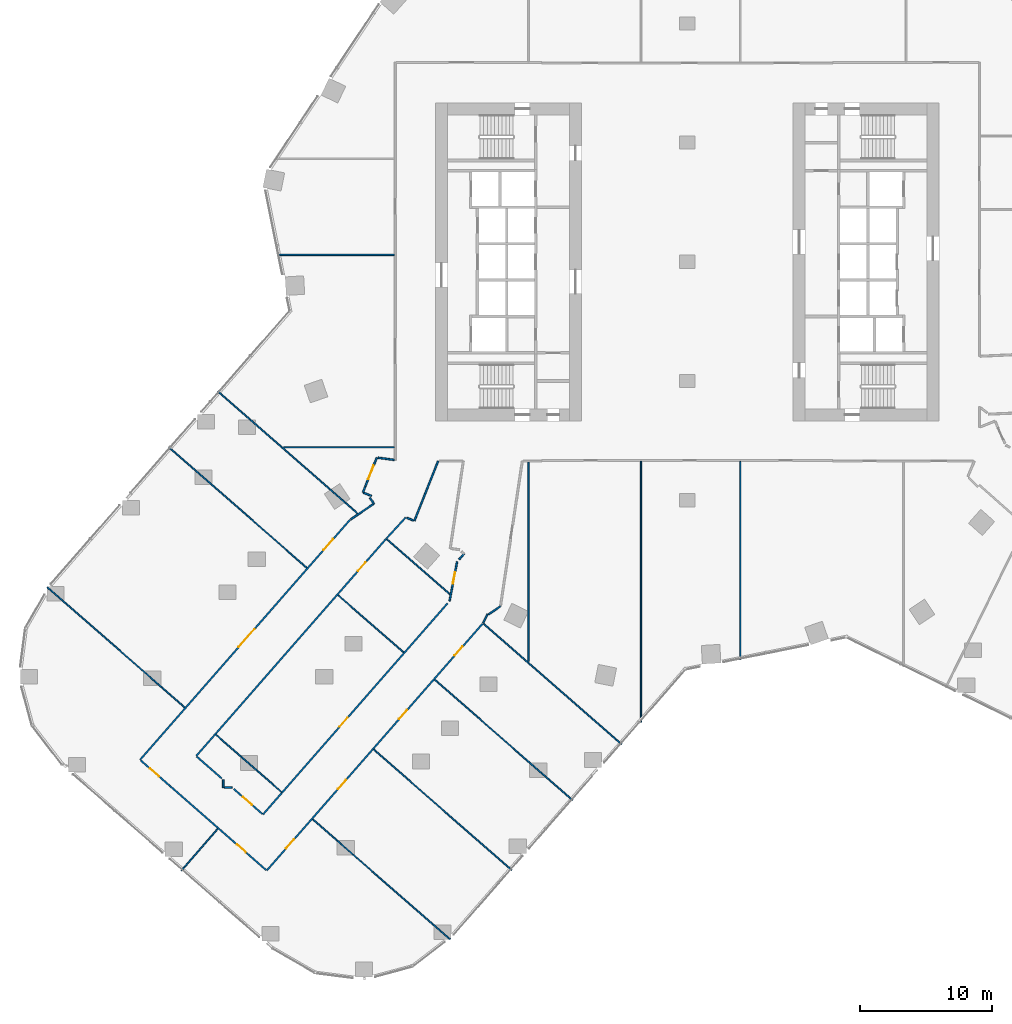
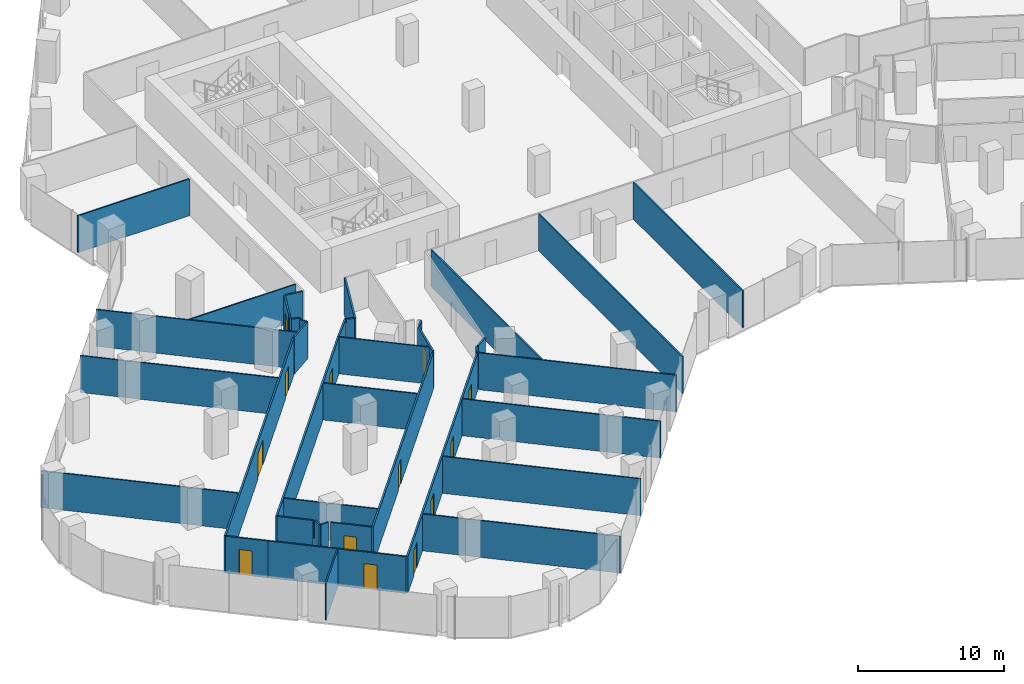
# One storey, part 26 of 38: 39 walls, 13 doors, 13 openings.
"""IFC4 building model written with IfcOpenShell, lengths in metres."""

from ifc_helpers import new_model, si_unit, direction, frame, frame_2d, origin, place, context, subcontext, project, spatial, rectangle, extrude, material, layer, layer_set, type_object, element, fill, save


model = new_model("IFC4")

# Units and contexts
model_context = context("Model", 3, precision=1e-05, world=origin(), true_north=direction((0.0, 1.0)))
body_context = subcontext(model_context, "Body", "Model", "MODEL_VIEW")
ifc_project = project(units=[si_unit("LENGTHUNIT", "METRE"), si_unit("AREAUNIT", "SQUARE_METRE"), si_unit("VOLUMEUNIT", "CUBIC_METRE"), si_unit("PLANEANGLEUNIT", "RADIAN"), si_unit("MASSUNIT", "GRAM", prefix="KILO")], contexts=[model_context])

# Site, building, storey
site_placement = place(None, origin())
site = spatial("IfcSite", under=ifc_project, at=site_placement, CompositionType="ELEMENT")
building_placement = place(site_placement, origin())
building = spatial("IfcBuilding", under=site, at=building_placement, Name="Orlundy Tower", CompositionType="ELEMENT")
storey_placement = place(building_placement, frame((0.0, 0.0, 62.300048828125)))
storey = spatial("IfcBuildingStorey", under=building, at=storey_placement, Name="L14", CompositionType="ELEMENT", Elevation=62.300048828125)

# Walls
ifc_material_1 = material(Name="Gypsum board partition")
ifc_layer_1 = layer(ifc_material_1, 0.10009765625)
ifc_layer_set_1 = layer_set([ifc_layer_1], Name="Floor partition 100")
wall_type_1 = type_object("IfcWallType", Name="Floor partition 100", PredefinedType="PARTITIONING", material=ifc_layer_set_1)
wall_1_placement = place(storey_placement, frame((-48.31298828125, -24.572021484375, 0.0), z_axis=(0.0, 0.0, 1.0), x_axis=(0.75276101301, -0.658293898872, 0.0)))
element("IfcWall", 1, at=wall_1_placement, inside=storey, type_object=wall_type_1, Name="wall-int-L14-012", PredefinedType="PARTITIONING", context=body_context, shape_type="SweptSolid", body=[
    extrude(rectangle(XDim=13.78271484375, YDim=0.10009765625, at=frame_2d((6.891357421875, 0.0))), origin(), (0.0, 0.0, 1.0), 3.079833984375),
])
wall_2_placement = place(storey_placement, frame((-35.583984375, -35.701904296875, 0.0), z_axis=(0.0, 0.0, 1.0), x_axis=(0.75268021229, -0.658386283292, 0.0)))
element("IfcWall", 2, at=wall_2_placement, inside=storey, type_object=wall_type_1, Name="wall-int-L14-013", PredefinedType="PARTITIONING", context=body_context, shape_type="SweptSolid", body=[
    extrude(rectangle(XDim=6.57373046875, YDim=0.10009765625, at=frame_2d((3.286865234375, 0.0))), origin(), (0.0, 0.0, 1.0), 3.079833984375),
])
wall_3_placement = place(storey_placement, frame((-28.281982421875, -42.0869140625, 0.0), z_axis=(0.0, 0.0, 1.0), x_axis=(0.752796124803, -0.658253746272, 0.0)))
element("IfcWall", 3, at=wall_3_placement, inside=storey, type_object=wall_type_1, Name="wall-int-L14-014", PredefinedType="PARTITIONING", context=body_context, shape_type="SweptSolid", body=[
    extrude(rectangle(XDim=13.781982421875, YDim=0.10009765625, at=frame_2d((6.89111328125, 0.0))), origin(), (0.0, 0.0, 1.0), 3.079833984375),
])
for number, where, z_axis, x_axis, name in (
    (4, (-23.675048828125, -36.818115234375, 0.0), (0.0, 0.0, 1.0), (0.752825840036, -0.65821976161, 0.0), "wall-int-L14-015"),
    (5, (-39.138916015625, -13.9970703125, 0.0), (0.0, 0.0, 1.0), (0.752825840036, -0.65821976161, 0.0), "wall-int-L14-016"),
):
    element("IfcWall", number, at=place(storey_placement, frame(where, z_axis=z_axis, x_axis=x_axis)), inside=storey, type_object=wall_type_1, Name=name, PredefinedType="PARTITIONING", context=body_context, shape_type="SweptSolid", body=[
        extrude(rectangle(XDim=13.837158203125, YDim=0.10009765625, at=frame_2d((6.91845703125, 0.0))), origin(), (0.0, 0.0, 1.0), 3.079833984375),
    ])
wall_4_placement = place(storey_placement, frame((-26.368896484375, -25.1630859375, 0.0), z_axis=(0.0, 0.0, 1.0), x_axis=(0.752836606275, -0.658207447734, 0.0)))
element("IfcWall", 6, at=wall_4_placement, inside=storey, type_object=wall_type_1, Name="wall-int-L14-017", PredefinedType="PARTITIONING", context=body_context, shape_type="SweptSolid", body=[
    extrude(rectangle(XDim=6.57373046875, YDim=0.10009765625, at=frame_2d((3.286865234375, 0.0))), origin(), (0.0, 0.0, 1.0), 3.079833984375),
])
wall_5_placement = place(storey_placement, frame((-19.06689453125, -31.548095703125, 0.0), z_axis=(0.0, 0.0, 1.0), x_axis=(0.752795260656, -0.658254734531, 0.0)))
element("IfcWall", 7, at=wall_5_placement, inside=storey, type_object=wall_type_1, Name="wall-int-L14-018", PredefinedType="PARTITIONING", context=body_context, shape_type="SweptSolid", body=[
    extrude(rectangle(XDim=13.83642578125, YDim=0.10009765625, at=frame_2d((6.918212890625, 0.0))), origin(), (0.0, 0.0, 1.0), 3.079833984375),
])
wall_6_placement = place(storey_placement, frame((-35.447998046875, -9.77587890625, 0.0), z_axis=(0.0, 0.0, 1.0), x_axis=(0.752812898316, -0.658234563153, 0.0)))
element("IfcWall", 8, at=wall_6_placement, inside=storey, type_object=wall_type_1, Name="wall-int-L14-019", PredefinedType="PARTITIONING", context=body_context, shape_type="SweptSolid", body=[
    extrude(rectangle(XDim=14.019287109375, YDim=0.10009765625, at=frame_2d((7.009765625, 0.0))), origin(), (0.0, 0.0, 1.0), 3.079833984375),
])
wall_7_placement = place(storey_placement, frame((-22.677978515625, -20.94189453125, 0.0), z_axis=(0.0, 0.0, 1.0), x_axis=(0.752838405923, -0.658205389349, 0.0)))
element("IfcWall", 9, at=wall_7_placement, inside=storey, type_object=wall_type_1, Name="wall-int-L14-020", PredefinedType="PARTITIONING", context=body_context, shape_type="SweptSolid", body=[
    extrude(rectangle(XDim=6.29736328125, YDim=0.10009765625, at=frame_2d((3.148681640625, 0.0))), origin(), (0.0, 0.0, 1.0), 3.079833984375),
])
wall_8_placement = place(storey_placement, frame((-15.364013671875, -27.337890625, 0.0), z_axis=(0.0, 0.0, 1.0), x_axis=(0.752870986554, -0.658168122599, 0.0)))
element("IfcWall", 10, at=wall_8_placement, inside=storey, type_object=wall_type_1, Name="wall-int-L14-021", PredefinedType="PARTITIONING", context=body_context, shape_type="SweptSolid", body=[
    extrude(rectangle(XDim=13.820556640625, YDim=0.10009765625, at=frame_2d((6.91015625, 0.0))), origin(), (0.0, 0.0, 1.0), 3.079833984375),
])
wall_9_placement = place(storey_placement, frame((-30.485107421875, -14.0, 0.0), z_axis=(0.0, 0.0, 1.0), x_axis=(1.0, 0.0, 0.0)))
element("IfcWall", 11, at=wall_9_placement, inside=storey, type_object=wall_type_1, Name="wall-int-L14-045", PredefinedType="PARTITIONING", context=body_context, shape_type="SweptSolid", body=[
    extrude(rectangle(XDim=8.3720703125, YDim=0.10009765625, at=frame_2d((4.18603515625, 0.0))), origin(), (0.0, 0.0, 1.0), 3.079833984375),
])
wall_10_placement = place(storey_placement, frame((-30.9560546875, 0.52392578125, 0.0), z_axis=(0.0, 0.0, 1.0), x_axis=(1.0, 0.0, 0.0)))
element("IfcWall", 12, at=wall_10_placement, inside=storey, type_object=wall_type_1, Name="wall-int-L14-046", PredefinedType="PARTITIONING", context=body_context, shape_type="SweptSolid", body=[
    extrude(rectangle(XDim=8.843017578125, YDim=0.10009765625, at=frame_2d((4.42138671875, 0.0))), origin(), (0.0, 0.0, 1.0), 3.079833984375),
])
wall_11_placement = place(storey_placement, frame((-38.201904296875, -45.966064453125, 0.0), z_axis=(0.0, 0.0, 1.0), x_axis=(0.658203200775, 0.752840319384, 0.0)))
element("IfcWall", 13, at=wall_11_placement, inside=storey, type_object=wall_type_1, Name="wall-int-L14-062", PredefinedType="PARTITIONING", context=body_context, shape_type="SweptSolid", body=[
    extrude(rectangle(XDim=4.18701171875, YDim=0.10009765625, at=frame_2d((2.093505859375, 0.0))), origin(), (0.0, 0.0, 1.0), 3.079833984375),
])
wall_12_placement = place(storey_placement, frame((4.0, -30.050048828125, 0.0), z_axis=(0.0, 0.0, 1.0), x_axis=(0.0, 1.0, 0.0)))
element("IfcWall", 14, at=wall_12_placement, inside=storey, type_object=wall_type_1, Name="wall-int-L14-090", PredefinedType="PARTITIONING", context=body_context, shape_type="SweptSolid", body=[
    extrude(rectangle(XDim=14.987060546875, YDim=0.10009765625, at=frame_2d((7.49365234375, 0.0))), origin(), (0.0, 0.0, 1.0), 3.079833984375),
])
wall_13_placement = place(storey_placement, frame((-3.493896484375, -34.758056640625, 0.0), z_axis=(0.0, 0.0, 1.0), x_axis=(0.0, 1.0, 0.0)))
element("IfcWall", 15, at=wall_13_placement, inside=storey, type_object=wall_type_1, Name="wall-int-L14-092", PredefinedType="PARTITIONING", context=body_context, shape_type="SweptSolid", body=[
    extrude(rectangle(XDim=19.695068359375, YDim=0.10009765625, at=frame_2d((9.84765625, 0.0))), origin(), (0.0, 0.0, 1.0), 3.079833984375),
])
wall_14_placement = place(storey_placement, frame((-12.0, -30.1689453125, 0.0), z_axis=(0.0, 0.0, 1.0), x_axis=(0.0, 1.0, 0.0)))
element("IfcWall", 16, at=wall_14_placement, inside=storey, type_object=wall_type_1, Name="wall-int-L14-094", PredefinedType="PARTITIONING", context=body_context, shape_type="SweptSolid", body=[
    extrude(rectangle(XDim=15.054931640625, YDim=0.10009765625, at=frame_2d((7.52734375, 0.0))), origin(), (0.0, 0.0, 1.0), 3.079833984375),
])
ifc_material_2 = material(Name="Gypsum board partition, double layer")
ifc_layer_2 = layer(ifc_material_2, 0.125)
ifc_layer_set_2 = layer_set([ifc_layer_2], Name="Floor partition 125")
wall_type_2 = type_object("IfcWallType", Name="Floor partition 125", PredefinedType="PARTITIONING", material=ifc_layer_set_2)
wall_15_placement = place(storey_placement, frame((-23.965087890625, -17.81005859375, 0.0), z_axis=(0.0, 0.0, 1.0), x_axis=(0.55613676815, -0.831090786323, 0.0)))
element("IfcWall", 17, at=wall_15_placement, inside=storey, type_object=wall_type_2, Name="wall-int-L14-004", PredefinedType="PARTITIONING", context=body_context, shape_type="SweptSolid", body=[
    extrude(rectangle(XDim=0.548828125, YDim=0.125, at=frame_2d((0.2744140625, 0.0))), origin(), (0.0, 0.0, 1.0), 3.079833984375),
])

# Wall, opening, door
wall_16_placement = place(storey_placement, frame((-31.798095703125, -45.9208984375, 0.0), z_axis=(0.0, 0.0, 1.0), x_axis=(-0.752771196542, 0.658282253792, 0.0)))
wall_16 = element("IfcWall", 18, at=wall_16_placement, inside=storey, type_object=wall_type_2, Name="wall-int-L14-009", PredefinedType="PARTITIONING", context=body_context, shape_type="SweptSolid", body=[
    extrude(rectangle(XDim=9.64013671875, YDim=0.125, at=frame_2d((4.820068359375, 0.0))), origin(), (0.0, 0.0, 1.0), 3.079833984375),
])
opening_1_placement = place(wall_16_placement, frame((2.039794921875, 0.0, 0.0)))
opening_1 = element("IfcOpeningElement", 19, at=opening_1_placement, cuts=wall_16, Name="Opening 13118", PredefinedType="OPENING", context=body_context, shape_type="SweptSolid", body=[
    extrude(rectangle(XDim=0.89990234375, YDim=2.10009765625, at=frame_2d((0.449951171875, 1.050048828125))), frame((0.0, 0.072509765625, 0.0), z_axis=(0.0, -1.0, 0.0), x_axis=(1.0, 0.0, 0.0)), (0.0, 0.0, 1.0), 0.14501953125),
])
ifc_material_3 = material(Name="Timber door leaf", Category="wood")
door_type_1 = type_object("IfcDoorType", Name="Floor door single 900 FD30S", OperationType="NOTDEFINED", PredefinedType="DOOR", material=ifc_material_3)
door_1_placement = place(opening_1_placement, origin())
door_1 = element("IfcDoor", 20, at=door_1_placement, inside=storey, type_object=door_type_1, Name="Door 13118", OperationType="SINGLE_SWING_LEFT", OverallHeight=2.10009765625, OverallWidth=0.89990234375, PredefinedType="DOOR", context=body_context, shape_type="SweptSolid", body=[
    extrude(rectangle(XDim=0.89990234375, YDim=2.10009765625, at=frame_2d((0.449951171875, 1.050048828125))), frame((0.0, 0.02490234375, 0.0), z_axis=(0.0, -1.0, 0.0), x_axis=(1.0, 0.0, 0.0)), (0.0, 0.0, 1.0), 0.050048828125),
])
fill(opening_1, door_1)

# Wall
wall_17_placement = place(storey_placement, frame((-37.031982421875, -37.35791015625, 0.0), z_axis=(0.0, 0.0, 1.0), x_axis=(0.752691127314, -0.658373804812, 0.0)))
element("IfcWall", 21, at=wall_17_placement, inside=storey, type_object=wall_type_2, Name="wall-int-L14-010", PredefinedType="PARTITIONING", context=body_context, shape_type="SweptSolid", body=[
    extrude(rectangle(XDim=2.5107421875, YDim=0.125, at=frame_2d((1.25537109375, 0.0))), origin(), (0.0, 0.0, 1.0), 3.079833984375),
])

# Wall, opening, door
wall_18_placement = place(storey_placement, frame((-34.239013671875, -39.801025390625, 0.0), z_axis=(0.0, 0.0, 1.0), x_axis=(0.753004386547, -0.658015496657, 0.0)))
wall_18 = element("IfcWall", 22, at=wall_18_placement, inside=storey, type_object=wall_type_2, Name="wall-int-L14-011", PredefinedType="PARTITIONING", context=body_context, shape_type="SweptSolid", body=[
    extrude(rectangle(XDim=2.86328125, YDim=0.125, at=frame_2d((1.431640625, 0.0))), origin(), (0.0, 0.0, 1.0), 3.079833984375),
])
opening_2_placement = place(wall_18_placement, frame((0.93359375, 0.0, 0.0)))
opening_2 = element("IfcOpeningElement", 23, at=opening_2_placement, cuts=wall_18, Name="Opening 13117", PredefinedType="OPENING", context=body_context, shape_type="SweptSolid", body=[
    extrude(rectangle(XDim=0.89990234375, YDim=2.10009765625, at=frame_2d((0.449951171875, 1.050048828125))), frame((0.0, 0.072509765625, 0.0), z_axis=(0.0, -1.0, 0.0), x_axis=(1.0, 0.0, 0.0)), (0.0, 0.0, 1.0), 0.14501953125),
])
door_2_placement = place(opening_2_placement, origin())
door_2 = element("IfcDoor", 24, at=door_2_placement, inside=storey, type_object=door_type_1, Name="Door 13117", OperationType="SINGLE_SWING_LEFT", OverallHeight=2.10009765625, OverallWidth=0.89990234375, PredefinedType="DOOR", context=body_context, shape_type="SweptSolid", body=[
    extrude(rectangle(XDim=0.89990234375, YDim=2.10009765625, at=frame_2d((0.449951171875, 1.050048828125))), frame((0.0, 0.02490234375, 0.0), z_axis=(0.0, -1.0, 0.0), x_axis=(1.0, 0.0, 0.0)), (0.0, 0.0, 1.0), 0.050048828125),
])
fill(opening_2, door_2)

wall_19_placement = place(storey_placement, frame((-39.054931640625, -39.574951171875, 0.0), z_axis=(0.0, 0.0, 1.0), x_axis=(-0.753045000135, 0.657969017334, 0.0)))
wall_19 = element("IfcWall", 25, at=wall_19_placement, inside=storey, type_object=wall_type_2, Name="wall-int-L14-022", PredefinedType="PARTITIONING", context=body_context, shape_type="SweptSolid", body=[
    extrude(rectangle(XDim=2.9375, YDim=0.125, at=frame_2d((1.46875, 0.0))), origin(), (0.0, 0.0, 1.0), 3.079833984375),
])
opening_3_placement = place(wall_19_placement, frame((1.10009765625, 0.0, 0.0)))
opening_3 = element("IfcOpeningElement", 26, at=opening_3_placement, cuts=wall_19, Name="Opening 13120", PredefinedType="OPENING", context=body_context, shape_type="SweptSolid", body=[
    extrude(rectangle(XDim=0.89990234375, YDim=2.10009765625, at=frame_2d((0.449951171875, 1.050048828125))), frame((0.0, 0.072509765625, 0.0), z_axis=(0.0, -1.0, 0.0), x_axis=(1.0, 0.0, 0.0)), (0.0, 0.0, 1.0), 0.14501953125),
])
door_3_placement = place(opening_3_placement, origin())
door_3 = element("IfcDoor", 27, at=door_3_placement, inside=storey, type_object=door_type_1, Name="Door 13120", OperationType="SINGLE_SWING_RIGHT", OverallHeight=2.10009765625, OverallWidth=0.89990234375, PredefinedType="DOOR", context=body_context, shape_type="SweptSolid", body=[
    extrude(rectangle(XDim=0.89990234375, YDim=2.10009765625, at=frame_2d((0.449951171875, 1.050048828125))), frame((0.0, 0.02490234375, 0.0), z_axis=(0.0, -1.0, 0.0), x_axis=(1.0, 0.0, 0.0)), (0.0, 0.0, 1.0), 0.050048828125),
])
fill(opening_3, door_3)

# Walls
wall_20_placement = place(storey_placement, frame((-24.43505859375, -17.43798828125, 0.0), z_axis=(0.0, 0.0, 1.0), x_axis=(0.928555762044, -0.3711929374, 0.0)))
element("IfcWall", 28, at=wall_20_placement, inside=storey, type_object=wall_type_2, Name="wall-int-L14-033", PredefinedType="PARTITIONING", context=body_context, shape_type="SweptSolid", body=[
    extrude(rectangle(XDim=0.638671875, YDim=0.125, at=frame_2d((0.3193359375, 0.0))), origin(), (0.0, 0.0, 1.0), 3.079833984375),
])
wall_21_placement = place(storey_placement, frame((-21.173095703125, -19.3291015625, 0.0), z_axis=(0.0, 0.0, 1.0), x_axis=(0.928691976307, -0.37085200976, 0.0)))
element("IfcWall", 29, at=wall_21_placement, inside=storey, type_object=wall_type_2, Name="wall-int-L14-034", PredefinedType="PARTITIONING", context=body_context, shape_type="SweptSolid", body=[
    extrude(rectangle(XDim=0.547119140625, YDim=0.125, at=frame_2d((0.2734375, 0.0))), origin(), (0.0, 0.0, 1.0), 3.079833984375),
])
wall_22_placement = place(storey_placement, frame((-14.998046875, -26.611083984375, 0.0), z_axis=(0.0, 0.0, 1.0), x_axis=(0.828906337017, 0.559387418926, 0.0)))
element("IfcWall", 30, at=wall_22_placement, inside=storey, type_object=wall_type_2, Name="wall-int-L14-035", PredefinedType="PARTITIONING", context=body_context, shape_type="SweptSolid", body=[
    extrude(rectangle(XDim=1.079833984375, YDim=0.125, at=frame_2d((0.5400390625, 0.0))), origin(), (0.0, 0.0, 1.0), 3.079833984375),
])
wall_23_placement = place(storey_placement, frame((-23.35302734375, -14.7919921875, 0.0), z_axis=(0.0, 0.0, 1.0), x_axis=(0.991114791297, -0.133009287168, 0.0)))
element("IfcWall", 31, at=wall_23_placement, inside=storey, type_object=wall_type_2, Name="wall-int-L14-037", PredefinedType="PARTITIONING", context=body_context, shape_type="SweptSolid", body=[
    extrude(rectangle(XDim=1.248046875, YDim=0.125, at=frame_2d((0.6240234375, 0.0))), origin(), (0.0, 0.0, 1.0), 3.079833984375),
])
wall_24_placement = place(storey_placement, frame((-34.97412109375, -39.68994140625, 0.0), z_axis=(0.0, 0.0, 1.0), x_axis=(1.0, 0.0, 0.0)))
element("IfcWall", 32, at=wall_24_placement, inside=storey, type_object=wall_type_2, Name="wall-int-L14-040", PredefinedType="PARTITIONING", context=body_context, shape_type="SweptSolid", body=[
    extrude(rectangle(XDim=0.609130859375, YDim=0.125, at=frame_2d((0.3046875, 0.0))), origin(), (0.0, 0.0, 1.0), 3.079833984375),
])
wall_25_placement = place(storey_placement, frame((-23.659912109375, -18.26611328125, 0.0), z_axis=(0.0, 0.0, 1.0), x_axis=(-0.83066036782, -0.556779447658, 0.0)))
element("IfcWall", 33, at=wall_25_placement, inside=storey, type_object=wall_type_2, Name="wall-int-L14-056", PredefinedType="PARTITIONING", context=body_context, shape_type="SweptSolid", body=[
    extrude(rectangle(XDim=2.11181640625, YDim=0.125, at=frame_2d((1.055908203125, 0.0))), origin(), (0.0, 0.0, 1.0), 3.079833984375),
])
wall_26_placement = place(storey_placement, frame((-22.72509765625, -20.90087890625, 0.0), z_axis=(0.0, 0.0, 1.0), x_axis=(0.674921155875, 0.737889851775, 0.0)))
element("IfcWall", 34, at=wall_26_placement, inside=storey, type_object=wall_type_2, Name="wall-int-L14-058", PredefinedType="PARTITIONING", context=body_context, shape_type="SweptSolid", body=[
    extrude(rectangle(XDim=2.175048828125, YDim=0.125, at=frame_2d((1.08740234375, 0.0))), origin(), (0.0, 0.0, 1.0), 3.079833984375),
])
wall_27_placement = place(storey_placement, frame((-17.22802734375, -22.468994140625, 0.0), z_axis=(0.0, 0.0, 1.0), x_axis=(0.664256182607, 0.747504999226, 0.0)))
element("IfcWall", 35, at=wall_27_placement, inside=storey, type_object=wall_type_2, Name="wall-int-L14-059", PredefinedType="PARTITIONING", context=body_context, shape_type="SweptSolid", body=[
    extrude(rectangle(XDim=0.56298828125, YDim=0.125, at=frame_2d((0.281494140625, 0.0))), origin(), (0.0, 0.0, 1.0), 3.079833984375),
])

# Wall, openings, doors
wall_28_placement = place(storey_placement, frame((-15.464111328125, -27.33203125, 0.0), z_axis=(0.0, 0.0, 1.0), x_axis=(-0.658219577617, -0.752826000907, 0.0)))
wall_28 = element("IfcWall", 36, at=wall_28_placement, inside=storey, type_object=wall_type_2, Name="wall-int-L14-060", PredefinedType="PARTITIONING", context=body_context, shape_type="SweptSolid", body=[
    extrude(rectangle(XDim=24.745361328125, YDim=0.125, at=frame_2d((12.37255859375, 0.0))), origin(), (0.0, 0.0, 1.0), 3.079833984375),
])
opening_4_placement = place(wall_28_placement, frame((2.287841796875, 0.0, 0.0)))
opening_4 = element("IfcOpeningElement", 37, at=opening_4_placement, cuts=wall_28, Name="Opening 13112", PredefinedType="OPENING", context=body_context, shape_type="SweptSolid", body=[
    extrude(rectangle(XDim=0.89990234375, YDim=2.10009765625, at=frame_2d((0.449951171875, 1.050048828125))), frame((0.0, 0.072509765625, 0.0), z_axis=(0.0, -1.0, 0.0), x_axis=(1.0, 0.0, 0.0)), (0.0, 0.0, 1.0), 0.14501953125),
])
opening_5_placement = place(wall_28_placement, frame((8.64501953125, 0.0, 0.0)))
opening_5 = element("IfcOpeningElement", 38, at=opening_5_placement, cuts=wall_28, Name="Opening 13113", PredefinedType="OPENING", context=body_context, shape_type="SweptSolid", body=[
    extrude(rectangle(XDim=0.89990234375, YDim=2.10009765625, at=frame_2d((0.449951171875, 1.050048828125))), frame((0.0, 0.072509765625, 0.0), z_axis=(0.0, -1.0, 0.0), x_axis=(1.0, 0.0, 0.0)), (0.0, 0.0, 1.0), 0.14501953125),
])
opening_6_placement = place(wall_28_placement, frame((15.6455078125, 0.0, 0.0)))
opening_6 = element("IfcOpeningElement", 39, at=opening_6_placement, cuts=wall_28, Name="Opening 13114", PredefinedType="OPENING", context=body_context, shape_type="SweptSolid", body=[
    extrude(rectangle(XDim=0.89990234375, YDim=2.10009765625, at=frame_2d((0.449951171875, 1.050048828125))), frame((0.0, 0.072509765625, 0.0), z_axis=(0.0, -1.0, 0.0), x_axis=(1.0, 0.0, 0.0)), (0.0, 0.0, 1.0), 0.14501953125),
])
opening_7_placement = place(wall_28_placement, frame((21.64453125, 0.0, 0.0)))
opening_7 = element("IfcOpeningElement", 40, at=opening_7_placement, cuts=wall_28, Name="Opening 13119", PredefinedType="OPENING", context=body_context, shape_type="SweptSolid", body=[
    extrude(rectangle(XDim=0.89990234375, YDim=2.10009765625, at=frame_2d((0.449951171875, 1.050048828125))), frame((0.0, 0.072509765625, 0.0), z_axis=(0.0, -1.0, 0.0), x_axis=(1.0, 0.0, 0.0)), (0.0, 0.0, 1.0), 0.14501953125),
])
door_4_placement = place(opening_4_placement, origin())
door_4 = element("IfcDoor", 41, at=door_4_placement, inside=storey, type_object=door_type_1, Name="Door 13112", OperationType="SINGLE_SWING_LEFT", OverallHeight=2.10009765625, OverallWidth=0.89990234375, PredefinedType="DOOR", context=body_context, shape_type="SweptSolid", body=[
    extrude(rectangle(XDim=0.89990234375, YDim=2.10009765625, at=frame_2d((0.449951171875, 1.050048828125))), frame((0.0, 0.02490234375, 0.0), z_axis=(0.0, -1.0, 0.0), x_axis=(1.0, 0.0, 0.0)), (0.0, 0.0, 1.0), 0.050048828125),
])
fill(opening_4, door_4)
door_5_placement = place(opening_5_placement, origin())
door_5 = element("IfcDoor", 42, at=door_5_placement, inside=storey, type_object=door_type_1, Name="Door 13113", OperationType="SINGLE_SWING_LEFT", OverallHeight=2.10009765625, OverallWidth=0.89990234375, PredefinedType="DOOR", context=body_context, shape_type="SweptSolid", body=[
    extrude(rectangle(XDim=0.89990234375, YDim=2.10009765625, at=frame_2d((0.449951171875, 1.050048828125))), frame((0.0, 0.02490234375, 0.0), z_axis=(0.0, -1.0, 0.0), x_axis=(1.0, 0.0, 0.0)), (0.0, 0.0, 1.0), 0.050048828125),
])
fill(opening_5, door_5)
door_6_placement = place(opening_6_placement, origin())
door_6 = element("IfcDoor", 43, at=door_6_placement, inside=storey, type_object=door_type_1, Name="Door 13114", OperationType="SINGLE_SWING_RIGHT", OverallHeight=2.10009765625, OverallWidth=0.89990234375, PredefinedType="DOOR", context=body_context, shape_type="SweptSolid", body=[
    extrude(rectangle(XDim=0.89990234375, YDim=2.10009765625, at=frame_2d((0.449951171875, 1.050048828125))), frame((0.0, 0.02490234375, 0.0), z_axis=(0.0, -1.0, 0.0), x_axis=(1.0, 0.0, 0.0)), (0.0, 0.0, 1.0), 0.050048828125),
])
fill(opening_6, door_6)
door_7_placement = place(opening_7_placement, origin())
door_7 = element("IfcDoor", 44, at=door_7_placement, inside=storey, type_object=door_type_1, Name="Door 13119", OperationType="SINGLE_SWING_RIGHT", OverallHeight=2.10009765625, OverallWidth=0.89990234375, PredefinedType="DOOR", context=body_context, shape_type="SweptSolid", body=[
    extrude(rectangle(XDim=0.89990234375, YDim=2.10009765625, at=frame_2d((0.449951171875, 1.050048828125))), frame((0.0, 0.02490234375, 0.0), z_axis=(0.0, -1.0, 0.0), x_axis=(1.0, 0.0, 0.0)), (0.0, 0.0, 1.0), 0.050048828125),
])
fill(opening_7, door_7)

# Wall, opening, door
wall_29_placement = place(storey_placement, frame((-32.035888671875, -41.72607421875, 0.0), z_axis=(0.0, 0.0, 1.0), x_axis=(0.658205705433, 0.75283812957, 0.0)))
wall_29 = element("IfcWall", 45, at=wall_29_placement, inside=storey, type_object=wall_type_2, Name="wall-int-L14-061", PredefinedType="PARTITIONING", context=body_context, shape_type="SweptSolid", body=[
    extrude(rectangle(XDim=21.16796875, YDim=0.125, at=frame_2d((10.583984375, 0.0))), origin(), (0.0, 0.0, 1.0), 3.079833984375),
])
opening_8_placement = place(wall_29_placement, frame((8.79833984375, 0.0, 0.0)))
opening_8 = element("IfcOpeningElement", 46, at=opening_8_placement, cuts=wall_29, Name="Opening 13116", PredefinedType="OPENING", context=body_context, shape_type="SweptSolid", body=[
    extrude(rectangle(XDim=0.89990234375, YDim=2.10009765625, at=frame_2d((0.449951171875, 1.050048828125))), frame((0.0, 0.072509765625, 0.0), z_axis=(0.0, -1.0, 0.0), x_axis=(1.0, 0.0, 0.0)), (0.0, 0.0, 1.0), 0.14501953125),
])
door_8_placement = place(opening_8_placement, origin())
door_8 = element("IfcDoor", 47, at=door_8_placement, inside=storey, type_object=door_type_1, Name="Door 13116", OperationType="SINGLE_SWING_LEFT", OverallHeight=2.10009765625, OverallWidth=0.89990234375, PredefinedType="DOOR", context=body_context, shape_type="SweptSolid", body=[
    extrude(rectangle(XDim=0.89990234375, YDim=2.10009765625, at=frame_2d((0.449951171875, 1.050048828125))), frame((0.0, 0.02490234375, 0.0), z_axis=(0.0, -1.0, 0.0), x_axis=(1.0, 0.0, 0.0)), (0.0, 0.0, 1.0), 0.050048828125),
])
fill(opening_8, door_8)

wall_30_placement = place(storey_placement, frame((-22.736083984375, -20.9130859375, 0.0), z_axis=(0.0, 0.0, 1.0), x_axis=(-0.658236458127, -0.752811241409, 0.0)))
wall_30 = element("IfcWall", 48, at=wall_30_placement, inside=storey, type_object=wall_type_2, Name="wall-int-L14-063", PredefinedType="PARTITIONING", context=body_context, shape_type="SweptSolid", body=[
    extrude(rectangle(XDim=21.7900390625, YDim=0.125, at=frame_2d((10.89501953125, 0.0))), origin(), (0.0, 0.0, 1.0), 3.079833984375),
])
opening_9_placement = place(wall_30_placement, frame((2.35009765625, 0.0, 0.0)))
opening_9 = element("IfcOpeningElement", 49, at=opening_9_placement, cuts=wall_30, Name="Opening 13115", PredefinedType="OPENING", context=body_context, shape_type="SweptSolid", body=[
    extrude(rectangle(XDim=0.89990234375, YDim=2.10009765625, at=frame_2d((0.449951171875, 1.050048828125))), frame((0.0, 0.072509765625, 0.0), z_axis=(0.0, -1.0, 0.0), x_axis=(1.0, 0.0, 0.0)), (0.0, 0.0, 1.0), 0.14501953125),
])
door_9_placement = place(opening_9_placement, origin())
door_9 = element("IfcDoor", 50, at=door_9_placement, inside=storey, type_object=door_type_1, Name="Door 13115", OperationType="SINGLE_SWING_LEFT", OverallHeight=2.10009765625, OverallWidth=0.89990234375, PredefinedType="DOOR", context=body_context, shape_type="SweptSolid", body=[
    extrude(rectangle(XDim=0.89990234375, YDim=2.10009765625, at=frame_2d((0.449951171875, 1.050048828125))), frame((0.0, 0.02490234375, 0.0), z_axis=(0.0, -1.0, 0.0), x_axis=(1.0, 0.0, 0.0)), (0.0, 0.0, 1.0), 0.050048828125),
])
fill(opening_9, door_9)

# Wall, openings, doors
wall_31_placement = place(storey_placement, frame((-41.31396484375, -37.60009765625, 0.0), z_axis=(0.0, 0.0, 1.0), x_axis=(0.658340906106, 0.752719902319, 0.0)))
wall_31 = element("IfcWall", 51, at=wall_31_placement, inside=storey, type_object=wall_type_2, Name="wall-int-L14-064", PredefinedType="PARTITIONING", context=body_context, shape_type="SweptSolid", body=[
    extrude(rectangle(XDim=24.075439453125, YDim=0.125, at=frame_2d((12.03759765625, 0.0))), origin(), (0.0, 0.0, 1.0), 3.079833984375),
])
opening_10_placement = place(wall_31_placement, frame((21.050537109375, 0.0, 0.0)))
opening_10 = element("IfcOpeningElement", 52, at=opening_10_placement, cuts=wall_31, Name="Opening 13121", PredefinedType="OPENING", context=body_context, shape_type="SweptSolid", body=[
    extrude(rectangle(XDim=1.10009765625, YDim=2.10009765625, at=frame_2d((0.550048828125, 1.050048828125))), frame((0.0, 0.072509765625, 0.0), z_axis=(0.0, -1.0, 0.0), x_axis=(1.0, 0.0, 0.0)), (0.0, 0.0, 1.0), 0.14501953125),
])
opening_11_placement = place(wall_31_placement, frame((11.299560546875, 0.0, 0.0)))
opening_11 = element("IfcOpeningElement", 53, at=opening_11_placement, cuts=wall_31, Name="Opening 13122", PredefinedType="OPENING", context=body_context, shape_type="SweptSolid", body=[
    extrude(rectangle(XDim=1.800048828125, YDim=2.10009765625, at=frame_2d((0.89990234375, 1.050048828125))), frame((0.0, 0.072509765625, 0.0), z_axis=(0.0, -1.0, 0.0), x_axis=(1.0, 0.0, 0.0)), (0.0, 0.0, 1.0), 0.14501953125),
])
ifc_material_4 = material(Name="Timber door leaf", Category="wood")
door_type_2 = type_object("IfcDoorType", Name="Floor door double 1800 FD30S", OperationType="NOTDEFINED", PredefinedType="DOOR", material=ifc_material_4)
door_10_placement = place(opening_11_placement, origin())
door_10 = element("IfcDoor", 54, at=door_10_placement, inside=storey, type_object=door_type_2, Name="Door 13122", OperationType="DOUBLE_DOOR_SINGLE_SWING", OverallHeight=2.10009765625, OverallWidth=1.800048828125, PredefinedType="DOOR", context=body_context, shape_type="SweptSolid", body=[
    extrude(rectangle(XDim=1.800048828125, YDim=2.10009765625, at=frame_2d((0.89990234375, 1.050048828125))), frame((0.0, 0.02490234375, 0.0), z_axis=(0.0, -1.0, 0.0), x_axis=(1.0, 0.0, 0.0)), (0.0, 0.0, 1.0), 0.050048828125),
])
fill(opening_11, door_10)
ifc_material_5 = material(Name="Timber door leaf", Category="wood")
door_type_3 = type_object("IfcDoorType", Name="Floor door xwide 1100 FD30S", OperationType="NOTDEFINED", PredefinedType="DOOR", material=ifc_material_5)
door_11_placement = place(opening_10_placement, origin())
door_11 = element("IfcDoor", 55, at=door_11_placement, inside=storey, type_object=door_type_3, Name="Door 13121", OperationType="SINGLE_SWING_RIGHT", OverallHeight=2.10009765625, OverallWidth=1.10009765625, PredefinedType="DOOR", context=body_context, shape_type="SweptSolid", body=[
    extrude(rectangle(XDim=1.10009765625, YDim=2.10009765625, at=frame_2d((0.550048828125, 1.050048828125))), frame((0.0, 0.02490234375, 0.0), z_axis=(0.0, -1.0, 0.0), x_axis=(1.0, 0.0, 0.0)), (0.0, 0.0, 1.0), 0.050048828125),
])
fill(opening_10, door_11)

# Walls
wall_32_placement = place(storey_placement, frame((-15.405029296875, -27.26611328125, 0.0), z_axis=(0.0, 0.0, 1.0), x_axis=(0.435199770088, 0.900333915897, 0.0)))
element("IfcWall", 56, at=wall_32_placement, inside=storey, type_object=wall_type_2, Name="wall-int-L14-077", PredefinedType="PARTITIONING", context=body_context, shape_type="SweptSolid", body=[
    extrude(rectangle(XDim=0.7421875, YDim=0.125, at=frame_2d((0.37109375, 0.0))), origin(), (0.0, 0.0, 1.0), 3.079833984375),
])
wall_33_placement = place(storey_placement, frame((-24.492919921875, -17.4150390625, 0.0), z_axis=(0.0, 0.0, 1.0), x_axis=(0.374072822582, 0.9273993333, 0.0)))
element("IfcWall", 57, at=wall_33_placement, inside=storey, type_object=wall_type_2, Name="wall-int-L14-080", PredefinedType="PARTITIONING", context=body_context, shape_type="SweptSolid", body=[
    extrude(rectangle(XDim=0.486328125, YDim=0.125, at=frame_2d((0.2431640625, 0.0))), origin(), (0.0, 0.0, 1.0), 3.079833984375),
])
wall_34_placement = place(storey_placement, frame((-18.81005859375, -15.051025390625, 0.0), z_axis=(0.0, 0.0, 1.0), x_axis=(-0.370557189756, -0.928809651715, 0.0)))
element("IfcWall", 58, at=wall_34_placement, inside=storey, type_object=wall_type_2, Name="wall-int-L14-081", PredefinedType="PARTITIONING", context=body_context, shape_type="SweptSolid", body=[
    extrude(rectangle(XDim=4.84912109375, YDim=0.125, at=frame_2d((2.424560546875, 0.0))), origin(), (0.0, 0.0, 1.0), 3.079833984375),
])

# Wall, opening, door
wall_35_placement = place(storey_placement, frame((-24.31103515625, -16.964111328125, 0.0), z_axis=(0.0, 0.0, 1.0), x_axis=(0.370459614681, 0.928848574252, 0.0)))
wall_35 = element("IfcWall", 59, at=wall_35_placement, inside=storey, type_object=wall_type_2, Name="wall-int-L14-082", PredefinedType="PARTITIONING", context=body_context, shape_type="SweptSolid", body=[
    extrude(rectangle(XDim=2.351318359375, YDim=0.125, at=frame_2d((1.17578125, 0.0))), origin(), (0.0, 0.0, 1.0), 3.079833984375),
])
opening_12_placement = place(wall_35_placement, frame((0.60009765625, 0.0, 0.0)))
opening_12 = element("IfcOpeningElement", 60, at=opening_12_placement, cuts=wall_35, Name="Opening 13124", PredefinedType="OPENING", context=body_context, shape_type="SweptSolid", body=[
    extrude(rectangle(XDim=1.10009765625, YDim=2.10009765625, at=frame_2d((0.550048828125, 1.050048828125))), frame((0.0, 0.072509765625, 0.0), z_axis=(0.0, -1.0, 0.0), x_axis=(1.0, 0.0, 0.0)), (0.0, 0.0, 1.0), 0.14501953125),
])
door_12_placement = place(opening_12_placement, origin())
door_12 = element("IfcDoor", 61, at=door_12_placement, inside=storey, type_object=door_type_3, Name="Door 13124", OperationType="SINGLE_SWING_LEFT", OverallHeight=2.10009765625, OverallWidth=1.10009765625, PredefinedType="DOOR", context=body_context, shape_type="SweptSolid", body=[
    extrude(rectangle(XDim=1.10009765625, YDim=2.10009765625, at=frame_2d((0.550048828125, 1.050048828125))), frame((0.0, 0.02490234375, 0.0), z_axis=(0.0, -1.0, 0.0), x_axis=(1.0, 0.0, 0.0)), (0.0, 0.0, 1.0), 0.050048828125),
])
fill(opening_12, door_12)

wall_36_placement = place(storey_placement, frame((-17.949951171875, -25.616943359375, 0.0), z_axis=(0.0, 0.0, 1.0), x_axis=(0.188644670049, 0.982045410591, 0.0)))
wall_36 = element("IfcWall", 62, at=wall_36_placement, inside=storey, type_object=wall_type_2, Name="wall-int-L14-083", PredefinedType="PARTITIONING", context=body_context, shape_type="SweptSolid", body=[
    extrude(rectangle(XDim=3.037353515625, YDim=0.125, at=frame_2d((1.5185546875, 0.0))), origin(), (0.0, 0.0, 1.0), 3.079833984375),
])
opening_13_placement = place(wall_36_placement, frame((1.321533203125, 0.0, 0.0)))
opening_13 = element("IfcOpeningElement", 63, at=opening_13_placement, cuts=wall_36, Name="Opening 13125", PredefinedType="OPENING", context=body_context, shape_type="SweptSolid", body=[
    extrude(rectangle(XDim=0.89990234375, YDim=2.10009765625, at=frame_2d((0.449951171875, 1.050048828125))), frame((0.0, 0.072509765625, 0.0), z_axis=(0.0, -1.0, 0.0), x_axis=(1.0, 0.0, 0.0)), (0.0, 0.0, 1.0), 0.14501953125),
])
door_13_placement = place(opening_13_placement, origin())
door_13 = element("IfcDoor", 64, at=door_13_placement, inside=storey, type_object=door_type_1, Name="Door 13125", OperationType="SINGLE_SWING_RIGHT", OverallHeight=2.10009765625, OverallWidth=0.89990234375, PredefinedType="DOOR", context=body_context, shape_type="SweptSolid", body=[
    extrude(rectangle(XDim=0.89990234375, YDim=2.10009765625, at=frame_2d((0.449951171875, 1.050048828125))), frame((0.0, 0.02490234375, 0.0), z_axis=(0.0, -1.0, 0.0), x_axis=(1.0, 0.0, 0.0)), (0.0, 0.0, 1.0), 0.050048828125),
])
fill(opening_13, door_13)

# Wall
wall_37_placement = place(storey_placement, frame((-35.037109375, -39.68994140625, 0.0), z_axis=(0.0, 0.0, 1.0), x_axis=(0.0, 1.0, 0.0)))
element("IfcWall", 65, at=wall_37_placement, inside=storey, type_object=wall_type_2, Name="wall-int-L14-097", PredefinedType="PARTITIONING", context=body_context, shape_type="SweptSolid", body=[
    extrude(rectangle(XDim=0.587890625, YDim=0.125, at=frame_2d((0.2939453125, 0.0))), origin(), (0.0, 0.0, 1.0), 3.079833984375),
])

save(model, "model.ifc")
